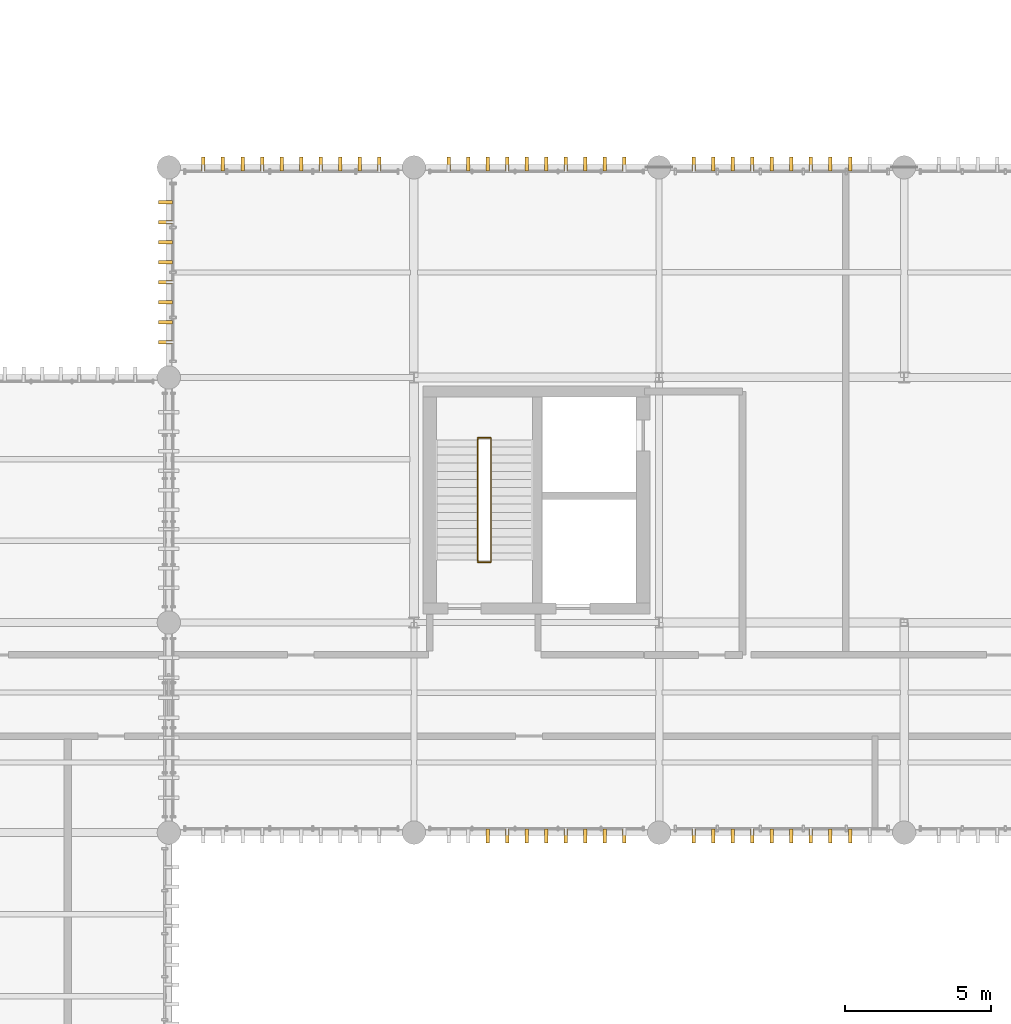
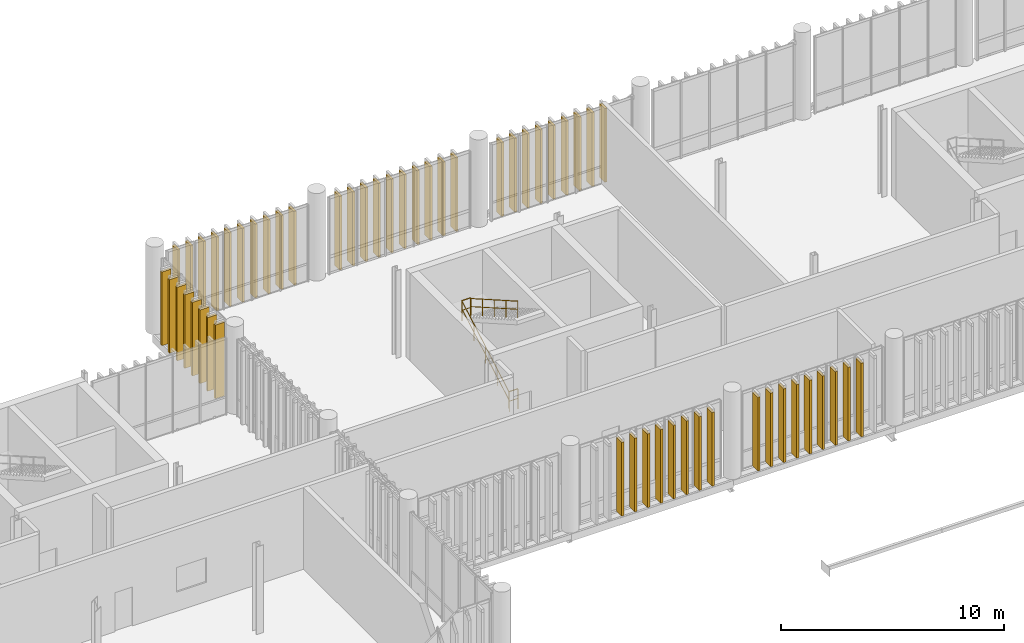
# One storey, part 88 of 94: 54 coverings, 4 railings.
"""IFC4 building model written with IfcOpenShell, lengths in metres."""

from ifc_helpers import new_model, si_unit, direction, frame, frame_2d, origin_with_axes, origin_2d_with_axis, place, context, subcontext, project, spatial, rectangle, circle, extrude, material, type_object, element, save


model = new_model("IFC4")

# Units and contexts
model_context = context("Model", 3, precision=1e-05, world=origin_with_axes(), true_north=direction((0.0, 1.0)))
body_context = subcontext(model_context, "Body", "Model", "MODEL_VIEW")
ifc_project = project(units=[si_unit("LENGTHUNIT", "METRE"), si_unit("AREAUNIT", "SQUARE_METRE"), si_unit("VOLUMEUNIT", "CUBIC_METRE"), si_unit("PLANEANGLEUNIT", "RADIAN"), si_unit("MASSUNIT", "GRAM", prefix="KILO"), si_unit("THERMODYNAMICTEMPERATUREUNIT", "KELVIN")], contexts=[model_context])

# Site, building, storey
site_placement = place(None, origin_with_axes())
site = spatial("IfcSite", under=ifc_project, at=site_placement, CompositionType="ELEMENT")
building_placement = place(site_placement, origin_with_axes())
building = spatial("IfcBuilding", under=site, at=building_placement, Name="Montbau Bow Law Courts", CompositionType="ELEMENT")
storey_placement = place(building_placement, frame((0.0, 0.0, 15.6), z_axis=(0.0, 0.0, 1.0), x_axis=(1.0, 0.0, 0.0)))
storey = spatial("IfcBuildingStorey", under=building, at=storey_placement, Name="L03", CompositionType="ELEMENT", Elevation=15.6)

# Coverings
ifc_material_1 = material(Name="Freeze-Thaw Glazed Warm Cream Ceramic Vertical Louvre", Category="masonry")
covering_type = type_object("IfcCoveringType", Name="CV-LVR-CRM", PredefinedType="CLADDING", material=ifc_material_1)
for number, where, z_axis, x_axis, name in (
    (1, (57.725, 39.13, 15.6), (-1.0, 0.0, 0.0), (0.0, -1.0, 0.0), "CLV-L03-1571:cov_1616"),
    (2, (58.395, 39.13, 15.6), (-1.0, 0.0, 0.0), (0.0, -1.0, 0.0), "CLV-L03-1572:cov_1617"),
    (3, (59.065, 39.13, 15.6), (-1.0, 0.0, 0.0), (0.0, -1.0, 0.0), "CLV-L03-1573:cov_1618"),
    (4, (59.735, 39.13, 15.6), (-1.0, 0.0, 0.0), (0.0, -1.0, 0.0), "CLV-L03-1574:cov_1619"),
    (5, (60.405, 39.13, 15.6), (-1.0, 0.0, 0.0), (0.0, -1.0, 0.0), "CLV-L03-1575:cov_1620"),
    (6, (61.075, 39.13, 15.6), (-1.0, 0.0, 0.0), (0.0, -1.0, 0.0), "CLV-L03-1576:cov_1621"),
    (7, (61.745, 39.13, 15.6), (-1.0, 0.0, 0.0), (0.0, -1.0, 0.0), "CLV-L03-1577:cov_1622"),
    (8, (62.415, 39.13, 15.6), (-1.0, 0.0, 0.0), (0.0, -1.0, 0.0), "CLV-L03-1578:cov_1623"),
    (9, (64.785, 39.13, 15.6), (-1.0, 0.0, 0.0), (0.0, -1.0, 0.0), "CLV-L03-1579:cov_1624"),
    (10, (65.455, 39.13, 15.6), (-1.0, 0.0, 0.0), (0.0, -1.0, 0.0), "CLV-L03-1580:cov_1625"),
    (11, (66.125, 39.13, 15.6), (-1.0, 0.0, 0.0), (0.0, -1.0, 0.0), "CLV-L03-1581:cov_1626"),
    (12, (66.795, 39.13, 15.6), (-1.0, 0.0, 0.0), (0.0, -1.0, 0.0), "CLV-L03-1582:cov_1627"),
    (13, (67.465, 39.13, 15.6), (-1.0, 0.0, 0.0), (0.0, -1.0, 0.0), "CLV-L03-1583:cov_1628"),
    (14, (68.135, 39.13, 15.6), (-1.0, 0.0, 0.0), (0.0, -1.0, 0.0), "CLV-L03-1584:cov_1629"),
    (15, (68.805, 39.13, 15.6), (-1.0, 0.0, 0.0), (0.0, -1.0, 0.0), "CLV-L03-1585:cov_1630"),
    (16, (69.475, 39.13, 15.6), (-1.0, 0.0, 0.0), (0.0, -1.0, 0.0), "CLV-L03-1586:cov_1631"),
    (17, (70.145, 39.13, 15.6), (-1.0, 0.0, 0.0), (0.0, -1.0, 0.0), "CLV-L03-1587:cov_1632"),
    (18, (47.985, 61.67, 15.6), (1.0, 0.0, 0.0), (0.0, 1.0, 0.0), "CLV-L03-1619:cov_1664"),
    (19, (48.655, 61.67, 15.6), (1.0, 0.0, 0.0), (0.0, 1.0, 0.0), "CLV-L03-1620:cov_1665"),
    (20, (49.325, 61.67, 15.6), (1.0, 0.0, 0.0), (0.0, 1.0, 0.0), "CLV-L03-1621:cov_1666"),
    (21, (49.995, 61.67, 15.6), (1.0, 0.0, 0.0), (0.0, 1.0, 0.0), "CLV-L03-1622:cov_1667"),
    (22, (50.665, 61.67, 15.6), (1.0, 0.0, 0.0), (0.0, 1.0, 0.0), "CLV-L03-1623:cov_1668"),
    (23, (51.335, 61.67, 15.6), (1.0, 0.0, 0.0), (0.0, 1.0, 0.0), "CLV-L03-1624:cov_1669"),
    (24, (52.005, 61.67, 15.6), (1.0, 0.0, 0.0), (0.0, 1.0, 0.0), "CLV-L03-1625:cov_1670"),
    (25, (52.675, 61.67, 15.6), (1.0, 0.0, 0.0), (0.0, 1.0, 0.0), "CLV-L03-1626:cov_1671"),
    (26, (53.345, 61.67, 15.6), (1.0, 0.0, 0.0), (0.0, 1.0, 0.0), "CLV-L03-1627:cov_1672"),
    (27, (54.015, 61.67, 15.6), (1.0, 0.0, 0.0), (0.0, 1.0, 0.0), "CLV-L03-1628:cov_1673"),
    (28, (56.385, 61.67, 15.6), (1.0, 0.0, 0.0), (0.0, 1.0, 0.0), "CLV-L03-1629:cov_1674"),
    (29, (57.055, 61.67, 15.6), (1.0, 0.0, 0.0), (0.0, 1.0, 0.0), "CLV-L03-1630:cov_1675"),
    (30, (57.725, 61.67, 15.6), (1.0, 0.0, 0.0), (0.0, 1.0, 0.0), "CLV-L03-1631:cov_1676"),
    (31, (58.395, 61.67, 15.6), (1.0, 0.0, 0.0), (0.0, 1.0, 0.0), "CLV-L03-1632:cov_1677"),
    (32, (59.065, 61.67, 15.6), (1.0, 0.0, 0.0), (0.0, 1.0, 0.0), "CLV-L03-1633:cov_1678"),
    (33, (59.735, 61.67, 15.6), (1.0, 0.0, 0.0), (0.0, 1.0, 0.0), "CLV-L03-1634:cov_1679"),
    (34, (60.405, 61.67, 15.6), (1.0, 0.0, 0.0), (0.0, 1.0, 0.0), "CLV-L03-1635:cov_1680"),
    (35, (61.075, 61.67, 15.6), (1.0, 0.0, 0.0), (0.0, 1.0, 0.0), "CLV-L03-1636:cov_1681"),
    (36, (61.745, 61.67, 15.6), (1.0, 0.0, 0.0), (0.0, 1.0, 0.0), "CLV-L03-1637:cov_1682"),
    (37, (62.415, 61.67, 15.6), (1.0, 0.0, 0.0), (0.0, 1.0, 0.0), "CLV-L03-1638:cov_1683"),
    (38, (64.785, 61.67, 15.6), (1.0, 0.0, 0.0), (0.0, 1.0, 0.0), "CLV-L03-1639:cov_1684"),
    (39, (65.455, 61.67, 15.6), (1.0, 0.0, 0.0), (0.0, 1.0, 0.0), "CLV-L03-1640:cov_1685"),
    (40, (66.125, 61.67, 15.6), (1.0, 0.0, 0.0), (0.0, 1.0, 0.0), "CLV-L03-1641:cov_1686"),
    (41, (66.795, 61.67, 15.6), (1.0, 0.0, 0.0), (0.0, 1.0, 0.0), "CLV-L03-1642:cov_1687"),
    (42, (67.465, 61.67, 15.6), (1.0, 0.0, 0.0), (0.0, 1.0, 0.0), "CLV-L03-1643:cov_1688"),
    (43, (68.135, 61.67, 15.6), (1.0, 0.0, 0.0), (0.0, 1.0, 0.0), "CLV-L03-1644:cov_1689"),
    (44, (68.805, 61.67, 15.6), (1.0, 0.0, 0.0), (0.0, 1.0, 0.0), "CLV-L03-1645:cov_1690"),
    (45, (69.475, 61.67, 15.6), (1.0, 0.0, 0.0), (0.0, 1.0, 0.0), "CLV-L03-1646:cov_1691"),
    (46, (70.145, 61.67, 15.6), (1.0, 0.0, 0.0), (0.0, 1.0, 0.0), "CLV-L03-1647:cov_1692"),
    (47, (46.93, 55.801, 15.6), (0.0, 1.0, 0.0), (-1.0, 0.0, 0.0), "CLV-L03-1697:cov_1742"),
    (48, (46.93, 56.486, 15.6), (0.0, 1.0, 0.0), (-1.0, 0.0, 0.0), "CLV-L03-1698:cov_1743"),
    (49, (46.93, 57.172, 15.6), (0.0, 1.0, 0.0), (-1.0, 0.0, 0.0), "CLV-L03-1699:cov_1744"),
    (50, (46.93, 57.857, 15.6), (0.0, 1.0, 0.0), (-1.0, 0.0, 0.0), "CLV-L03-1700:cov_1745"),
    (51, (46.93, 58.543, 15.6), (0.0, 1.0, 0.0), (-1.0, 0.0, 0.0), "CLV-L03-1701:cov_1746"),
    (52, (46.93, 59.228, 15.6), (0.0, 1.0, 0.0), (-1.0, 0.0, 0.0), "CLV-L03-1702:cov_1747"),
    (53, (46.93, 59.914, 15.6), (0.0, 1.0, 0.0), (-1.0, 0.0, 0.0), "CLV-L03-1703:cov_1748"),
    (54, (46.93, 60.599, 15.6), (0.0, 1.0, 0.0), (-1.0, 0.0, 0.0), "CLV-L03-1704:cov_1749"),
):
    element("IfcCovering", number, at=place(None, frame(where, z_axis=z_axis, x_axis=x_axis)), inside=storey, type_object=covering_type, Name=name, PredefinedType="CLADDING", context=body_context, shape_type="SweptSolid", body=[
        extrude(rectangle(XDim=0.48, YDim=4.04, at=frame_2d((0.24, 2.02), x_axis=(1.0, 0.0))), frame((0.0, 0.0, -0.06), z_axis=(0.0, 0.0, 1.0), x_axis=(1.0, 0.0, 0.0)), (0.0, 0.0, 1.0), 0.12),
    ])

# Railings
ifc_material_2 = material(Name="Architectural Bronze-Finished Steel Stair Guard", Category="steel")
railing_type_1 = type_object("IfcRailingType", Name="RL-GRD-1100", PredefinedType="GUARDRAIL", material=ifc_material_2)
railing_1_placement = place(None, origin_with_axes())
element("IfcRailing", 55, at=railing_1_placement, inside=storey, type_object=railing_type_1, Name="SG-ST-P4-L03-ML:rlg_0112", PredefinedType="GUARDRAIL", context=body_context, shape_type="SweptSolid", body=[
    extrude(circle(Radius=0.0225, at=origin_2d_with_axis()), frame((57.385, 52.53, 19.102), z_axis=(1.0, 0.0, 0.0), x_axis=(0.0, 0.0, 1.0)), (0.0, 0.0, 1.0), 0.455),
    extrude(circle(Radius=0.02025, at=origin_2d_with_axis()), frame((57.385, 52.53, 18.572), z_axis=(1.0, 0.0, 0.0), x_axis=(0.0, 0.0, 1.0)), (0.0, 0.0, 1.0), 0.455),
    extrude(circle(Radius=0.02025, at=origin_2d_with_axis()), frame((57.385, 52.53, 18.0), z_axis=(0.0, 0.0, 1.0), x_axis=(1.0, 0.0, 0.0)), (0.0, 0.0, 1.0), 1.07525),
    extrude(circle(Radius=0.02025, at=origin_2d_with_axis()), frame((57.84, 52.53, 18.0), z_axis=(0.0, 0.0, 1.0), x_axis=(1.0, 0.0, 0.0)), (0.0, 0.0, 1.0), 1.07525),
])
railing_2_placement = place(None, origin_with_axes())
element("IfcRailing", 56, at=railing_2_placement, inside=storey, type_object=railing_type_1, Name="SG-ST-P4-L03-BL:rlg_0113", PredefinedType="GUARDRAIL", context=body_context, shape_type="SweptSolid", body=[
    extrude(circle(Radius=0.0225, at=origin_2d_with_axis()), frame((57.385, 48.27, 16.702), z_axis=(1.0, 0.0, 0.0), x_axis=(0.0, 0.0, 1.0)), (0.0, 0.0, 1.0), 0.455),
    extrude(circle(Radius=0.02025, at=origin_2d_with_axis()), frame((57.385, 48.27, 16.172), z_axis=(1.0, 0.0, 0.0), x_axis=(0.0, 0.0, 1.0)), (0.0, 0.0, 1.0), 0.455),
    extrude(circle(Radius=0.02025, at=origin_2d_with_axis()), frame((57.385, 48.27, 15.6), z_axis=(0.0, 0.0, 1.0), x_axis=(1.0, 0.0, 0.0)), (0.0, 0.0, 1.0), 1.07525),
    extrude(circle(Radius=0.02025, at=origin_2d_with_axis()), frame((57.84, 48.27, 15.6), z_axis=(0.0, 0.0, 1.0), x_axis=(1.0, 0.0, 0.0)), (0.0, 0.0, 1.0), 1.07525),
])
ifc_material_3 = material(Name="White-Oak and Stainless Continuous Stair Handrail", Category="steel")
railing_type_2 = type_object("IfcRailingType", Name="RL-HND-0920", PredefinedType="HANDRAIL", material=ifc_material_3)
railing_3_placement = place(None, origin_with_axes())
element("IfcRailing", 57, at=railing_3_placement, inside=storey, type_object=railing_type_2, Name="HR-ST-P4-L03-1:rlg_0114", PredefinedType="HANDRAIL", context=body_context, shape_type="SweptSolid", body=[
    extrude(circle(Radius=0.021, at=origin_2d_with_axis()), frame((57.385, 48.3, 16.682), z_axis=(0.0, 0.868243142, 0.496138938), x_axis=(0.0, -0.496138938, 0.868243142)), (0.0, 0.0, 1.0), 4.837355),
    extrude(circle(Radius=0.0189, at=origin_2d_with_axis()), frame((57.385, 48.3, 16.2384), z_axis=(0.0, 0.868243142, 0.496138938), x_axis=(0.0, -0.496138938, 0.868243142)), (0.0, 0.0, 1.0), 4.837355),
    extrude(circle(Radius=0.0189, at=origin_2d_with_axis()), frame((57.385, 48.3, 15.76), z_axis=(0.0, 0.0, 1.0), x_axis=(1.0, 0.0, 0.0)), (0.0, 0.0, 1.0), 0.8969),
    extrude(circle(Radius=0.0189, at=origin_2d_with_axis()), frame((57.385, 49.35, 16.36), z_axis=(0.0, 0.0, 1.0), x_axis=(1.0, 0.0, 0.0)), (0.0, 0.0, 1.0), 0.8969),
    extrude(circle(Radius=0.0189, at=origin_2d_with_axis()), frame((57.385, 50.4, 16.96), z_axis=(0.0, 0.0, 1.0), x_axis=(1.0, 0.0, 0.0)), (0.0, 0.0, 1.0), 0.8969),
    extrude(circle(Radius=0.0189, at=origin_2d_with_axis()), frame((57.385, 51.45, 17.56), z_axis=(0.0, 0.0, 1.0), x_axis=(1.0, 0.0, 0.0)), (0.0, 0.0, 1.0), 0.8969),
    extrude(circle(Radius=0.0189, at=origin_2d_with_axis()), frame((57.385, 52.5, 18.16), z_axis=(0.0, 0.0, 1.0), x_axis=(1.0, 0.0, 0.0)), (0.0, 0.0, 1.0), 0.8969),
])
railing_4_placement = place(None, origin_with_axes())
element("IfcRailing", 58, at=railing_4_placement, inside=storey, type_object=railing_type_2, Name="HR-ST-P4-L03-2:rlg_0115", PredefinedType="HANDRAIL", context=body_context, shape_type="SweptSolid", body=[
    extrude(circle(Radius=0.021, at=origin_2d_with_axis()), frame((57.84, 52.5, 19.082), z_axis=(0.0, -0.868243142, 0.496138938), x_axis=(0.0, 0.496138938, 0.868243142)), (0.0, 0.0, 1.0), 4.837355),
    extrude(circle(Radius=0.0189, at=origin_2d_with_axis()), frame((57.84, 52.5, 18.6384), z_axis=(0.0, -0.868243142, 0.496138938), x_axis=(0.0, 0.496138938, 0.868243142)), (0.0, 0.0, 1.0), 4.837355),
    extrude(circle(Radius=0.0189, at=origin_2d_with_axis()), frame((57.84, 52.5, 18.16), z_axis=(0.0, 0.0, 1.0), x_axis=(1.0, 0.0, 0.0)), (0.0, 0.0, 1.0), 0.8969),
    extrude(circle(Radius=0.0189, at=origin_2d_with_axis()), frame((57.84, 51.45, 18.76), z_axis=(0.0, 0.0, 1.0), x_axis=(1.0, 0.0, 0.0)), (0.0, 0.0, 1.0), 0.8969),
    extrude(circle(Radius=0.0189, at=origin_2d_with_axis()), frame((57.84, 50.4, 19.36), z_axis=(0.0, 0.0, 1.0), x_axis=(1.0, 0.0, 0.0)), (0.0, 0.0, 1.0), 0.8969),
    extrude(circle(Radius=0.0189, at=origin_2d_with_axis()), frame((57.84, 49.35, 19.96), z_axis=(0.0, 0.0, 1.0), x_axis=(1.0, 0.0, 0.0)), (0.0, 0.0, 1.0), 0.8969),
    extrude(circle(Radius=0.0189, at=origin_2d_with_axis()), frame((57.84, 48.3, 20.56), z_axis=(0.0, 0.0, 1.0), x_axis=(1.0, 0.0, 0.0)), (0.0, 0.0, 1.0), 0.8969),
])

save(model, "model.ifc")
